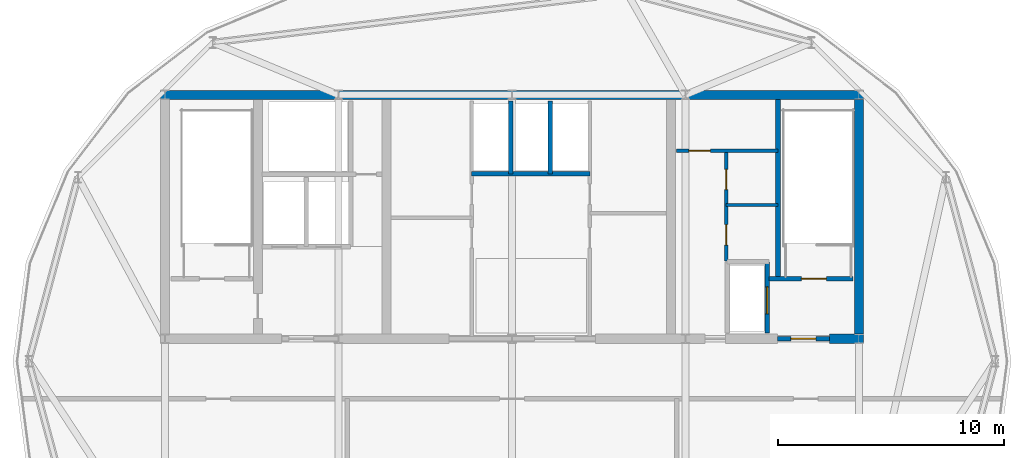
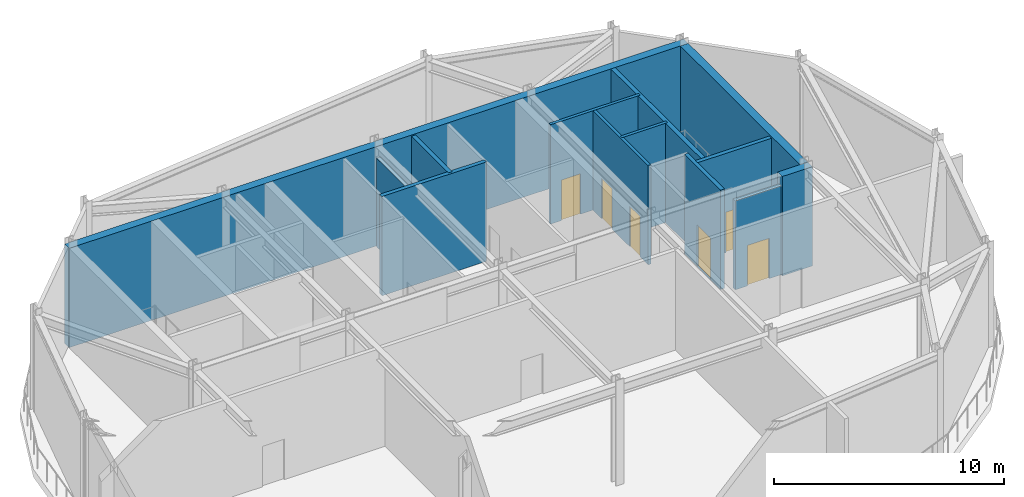
# One storey, part 3 of 5: 13 walls, 6 doors, 6 openings.
"""IFC4 building model written with IfcOpenShell, lengths in metres."""

from ifc_helpers import new_model, si_unit, direction, frame, frame_2d, origin, place, context, subcontext, project, spatial, rectangle, extrude, material, layer, layer_set, type_object, element, fill, save


model = new_model("IFC4")

# Units and contexts
model_context = context("Model", 3, precision=1e-05, world=origin(), true_north=direction((0.0, 1.0)))
body_context = subcontext(model_context, "Body", "Model", "MODEL_VIEW")
ifc_project = project(units=[si_unit("LENGTHUNIT", "METRE"), si_unit("AREAUNIT", "SQUARE_METRE"), si_unit("VOLUMEUNIT", "CUBIC_METRE"), si_unit("PLANEANGLEUNIT", "RADIAN"), si_unit("MASSUNIT", "GRAM", prefix="KILO")], contexts=[model_context])

# Site, building, storey
site_placement = place(None, origin())
site = spatial("IfcSite", under=ifc_project, at=site_placement, CompositionType="ELEMENT")
building_placement = place(site_placement, origin())
building = spatial("IfcBuilding", under=site, at=building_placement, Name="Yelkora Congress Tower", CompositionType="ELEMENT")
storey_placement = place(building_placement, frame((0.0, 0.0, 304.39990234375)))
storey = spatial("IfcBuildingStorey", under=building, at=storey_placement, Name="L85", CompositionType="ELEMENT", Elevation=304.39990234375)

# Walls
ifc_material_1 = material(Name="Concrete C50/60", Category="concrete")
ifc_layer_1 = layer(ifc_material_1, 0.219970703125)
ifc_layer_set_1 = layer_set([ifc_layer_1], Name="Concrete C50/60")
wall_type_1 = type_object("IfcWallType", Name="WALL-CORE-INT-220", PredefinedType="SHEAR", material=ifc_layer_set_1)
wall_1_placement = place(storey_placement, frame((50.179931640625, 38.050048828125, 0.0), z_axis=(0.0, 0.0, 1.0), x_axis=(0.0, 1.0, 0.0)))
element("IfcWall", 1, at=wall_1_placement, inside=storey, type_object=wall_type_1, Name="L85 ST02 West Stair Shear Wall", PredefinedType="SHEAR", context=body_context, shape_type="SweptSolid", body=[
    extrude(rectangle(XDim=7.949951171875, YDim=0.219970703125, at=frame_2d((3.97509765625, 0.0))), origin(), (0.0, 0.0, 1.0), 5.280029296875),
])
ifc_layer_2 = layer(ifc_material_1, 0.39990234375)
ifc_layer_set_2 = layer_set([ifc_layer_2], Name="Concrete C50/60")
wall_type_2 = type_object("IfcWallType", Name="WALL-CORE-INT-400", PredefinedType="SHEAR", material=ifc_layer_set_2)
wall_2_placement = place(storey_placement, frame((22.840087890625, 46.199951171875, 0.0), z_axis=(0.0, 0.0, 1.0), x_axis=(1.0, 0.0, 0.0)))
element("IfcWall", 2, at=wall_2_placement, inside=storey, type_object=wall_type_2, Name="L85 Rear Core North Shear Wall", PredefinedType="SHEAR", context=body_context, shape_type="SweptSolid", body=[
    extrude(rectangle(XDim=31.119873046875, YDim=0.39990234375, at=frame_2d((15.56005859375, 0.0))), origin(), (0.0, 0.0, 1.0), 5.280029296875),
])
wall_3_placement = place(storey_placement, frame((52.449951171875, 35.39990234375, 0.0), z_axis=(0.0, 0.0, 1.0), x_axis=(1.0, 0.0, 0.0)))
element("IfcWall", 3, at=wall_3_placement, inside=storey, type_object=wall_type_2, Name="L85 Rear Core South-East Shear Wall B", PredefinedType="SHEAR", context=body_context, shape_type="SweptSolid", body=[
    extrude(rectangle(XDim=1.510009765625, YDim=0.39990234375, at=frame_2d((0.7548828125, 0.0))), origin(), (0.0, 0.0, 1.0), 5.280029296875),
])
wall_4_placement = place(storey_placement, frame((53.760009765625, 35.60009765625, 0.0), z_axis=(0.0, 0.0, 1.0), x_axis=(0.0, 1.0, 0.0)))
element("IfcWall", 4, at=wall_4_placement, inside=storey, type_object=wall_type_2, Name="L85 Rear Core Cross Shear Wall E", PredefinedType="SHEAR", context=body_context, shape_type="SweptSolid", body=[
    extrude(rectangle(XDim=10.39990234375, YDim=0.39990234375, at=frame_2d((5.199951171875, 0.0))), origin(), (0.0, 0.0, 1.0), 5.280029296875),
])

# Wall, opening, door
ifc_material_2 = material(Name="Acoustic metal-stud gypsum partition", Category="gypsum")
ifc_layer_3 = layer(ifc_material_2, 0.14990234375)
ifc_layer_set_3 = layer_set([ifc_layer_3], Name="Acoustic metal-stud gypsum partition")
wall_type_3 = type_object("IfcWallType", Name="WALL-INT-150-NR", PredefinedType="PARTITIONING", material=ifc_layer_set_3)
wall_5_placement = place(storey_placement, frame((45.679931640625, 43.719970703125, 0.0), z_axis=(0.0, 0.0, 1.0), x_axis=(1.0, 0.0, 0.0)))
wall_5 = element("IfcWall", 5, at=wall_5_placement, inside=storey, type_object=wall_type_3, Name="L85 Partition Wall 20", PredefinedType="PARTITIONING", context=body_context, shape_type="SweptSolid", body=[
    extrude(rectangle(XDim=4.5, YDim=0.14990234375, at=frame_2d((2.25, 0.0))), origin(), (0.0, 0.0, 1.0), 5.280029296875),
])
opening_1_placement = place(wall_5_placement, frame((0.550048828125, 0.0, 0.0)))
opening_1 = element("IfcOpeningElement", 6, at=opening_1_placement, cuts=wall_5, Name="Opening DR-095N", PredefinedType="OPENING", context=body_context, shape_type="SweptSolid", body=[
    extrude(rectangle(XDim=0.949951171875, YDim=2.14990234375, at=frame_2d((0.47509765625, 1.074951171875))), frame((0.0, 0.0849609375, 0.0), z_axis=(0.0, -1.0, 0.0), x_axis=(1.0, 0.0, 0.0)), (0.0, 0.0, 1.0), 0.169921875),
])
ifc_material_3 = material(Name="Acoustic laminated timber office door", Category="wood")
door_type_1 = type_object("IfcDoorType", Name="DOOR-INT-950", OperationType="NOTDEFINED", PredefinedType="DOOR", material=ifc_material_3)
door_1_placement = place(opening_1_placement, origin())
door_1 = element("IfcDoor", 7, at=door_1_placement, inside=storey, type_object=door_type_1, Name="L85 Accessible WC Door", OperationType="SINGLE_SWING_RIGHT", OverallHeight=2.14990234375, OverallWidth=0.949951171875, PredefinedType="DOOR", context=body_context, shape_type="SweptSolid", body=[
    extrude(rectangle(XDim=0.949951171875, YDim=2.14990234375, at=frame_2d((0.47509765625, 1.074951171875))), frame((0.0, 0.02490234375, 0.0), z_axis=(0.0, -1.0, 0.0), x_axis=(1.0, 0.0, 0.0)), (0.0, 0.0, 1.0), 0.050048828125),
])
fill(opening_1, door_1)

# Wall
wall_6_placement = place(storey_placement, frame((47.8798828125, 41.320068359375, 0.0), z_axis=(0.0, 0.0, 1.0), x_axis=(1.0, 0.0, 0.0)))
element("IfcWall", 8, at=wall_6_placement, inside=storey, type_object=wall_type_3, Name="L85 Partition Wall 21", PredefinedType="PARTITIONING", context=body_context, shape_type="SweptSolid", body=[
    extrude(rectangle(XDim=2.300048828125, YDim=0.14990234375, at=frame_2d((1.14990234375, 0.0))), origin(), (0.0, 0.0, 1.0), 5.280029296875),
])

# Wall, openings, doors
wall_7_placement = place(storey_placement, frame((47.8798828125, 38.85009765625, 0.0), z_axis=(0.0, 0.0, 1.0), x_axis=(0.0, 1.0, 0.0)))
wall_7 = element("IfcWall", 9, at=wall_7_placement, inside=storey, type_object=wall_type_3, Name="L85 Partition Wall 22", PredefinedType="PARTITIONING", context=body_context, shape_type="SweptSolid", body=[
    extrude(rectangle(XDim=4.869873046875, YDim=0.14990234375, at=frame_2d((2.43505859375, 0.0))), origin(), (0.0, 0.0, 1.0), 5.280029296875),
])
opening_2_placement = place(wall_7_placement, frame((0.699951171875, 0.0, 0.0)))
opening_2 = element("IfcOpeningElement", 10, at=opening_2_placement, cuts=wall_7, Name="Opening DR-090N", PredefinedType="OPENING", context=body_context, shape_type="SweptSolid", body=[
    extrude(rectangle(XDim=0.89990234375, YDim=2.14990234375, at=frame_2d((0.449951171875, 1.074951171875))), frame((0.0, 0.0849609375, 0.0), z_axis=(0.0, -1.0, 0.0), x_axis=(1.0, 0.0, 0.0)), (0.0, 0.0, 1.0), 0.169921875),
])
opening_3_placement = place(wall_7_placement, frame((3.14990234375, 0.0, 0.0)))
opening_3 = element("IfcOpeningElement", 11, at=opening_3_placement, cuts=wall_7, Name="Opening DR-090N", PredefinedType="OPENING", context=body_context, shape_type="SweptSolid", body=[
    extrude(rectangle(XDim=0.89990234375, YDim=2.14990234375, at=frame_2d((0.449951171875, 1.074951171875))), frame((0.0, 0.0849609375, 0.0), z_axis=(0.0, -1.0, 0.0), x_axis=(1.0, 0.0, 0.0)), (0.0, 0.0, 1.0), 0.169921875),
])
ifc_material_4 = material(Name="Moisture-resistant laminate door leaf", Category="wood")
door_type_2 = type_object("IfcDoorType", Name="DOOR-INT-900", OperationType="NOTDEFINED", PredefinedType="DOOR", material=ifc_material_4)
door_2_placement = place(opening_2_placement, origin())
door_2 = element("IfcDoor", 12, at=door_2_placement, inside=storey, type_object=door_type_2, Name="L85 Male WC Door", OperationType="SINGLE_SWING_LEFT", OverallHeight=2.14990234375, OverallWidth=0.89990234375, PredefinedType="DOOR", context=body_context, shape_type="SweptSolid", body=[
    extrude(rectangle(XDim=0.89990234375, YDim=2.14990234375, at=frame_2d((0.449951171875, 1.074951171875))), frame((0.0, 0.02490234375, 0.0), z_axis=(0.0, -1.0, 0.0), x_axis=(1.0, 0.0, 0.0)), (0.0, 0.0, 1.0), 0.050048828125),
])
fill(opening_2, door_2)
door_3_placement = place(opening_3_placement, origin())
door_3 = element("IfcDoor", 13, at=door_3_placement, inside=storey, type_object=door_type_2, Name="L85 Female WC Door", OperationType="SINGLE_SWING_RIGHT", OverallHeight=2.14990234375, OverallWidth=0.89990234375, PredefinedType="DOOR", context=body_context, shape_type="SweptSolid", body=[
    extrude(rectangle(XDim=0.89990234375, YDim=2.14990234375, at=frame_2d((0.449951171875, 1.074951171875))), frame((0.0, 0.02490234375, 0.0), z_axis=(0.0, -1.0, 0.0), x_axis=(1.0, 0.0, 0.0)), (0.0, 0.0, 1.0), 0.050048828125),
])
fill(opening_3, door_3)

# Walls
ifc_material_5 = material(Name="Autoclaved aerated concrete blockwork", Category="masonry")
ifc_layer_4 = layer(ifc_material_5, 0.199951171875)
ifc_layer_set_4 = layer_set([ifc_layer_4], Name="Autoclaved aerated concrete blockwork")
wall_type_4 = type_object("IfcWallType", Name="WALL-INT-200-R120", PredefinedType="PARTITIONING", material=ifc_layer_set_4)
wall_8_placement = place(storey_placement, frame((36.60009765625, 42.699951171875, 0.0), z_axis=(0.0, 0.0, 1.0), x_axis=(1.0, 0.0, 0.0)))
element("IfcWall", 14, at=wall_8_placement, inside=storey, type_object=wall_type_4, Name="L85 Partition Wall 8", PredefinedType="PARTITIONING", context=body_context, shape_type="SweptSolid", body=[
    extrude(rectangle(XDim=5.25, YDim=0.199951171875, at=frame_2d((2.625, 0.0))), origin(), (0.0, 0.0, 1.0), 5.280029296875),
])
wall_9_placement = place(storey_placement, frame((38.35009765625, 42.699951171875, 0.0), z_axis=(0.0, 0.0, 1.0), x_axis=(0.0, 1.0, 0.0)))
element("IfcWall", 15, at=wall_9_placement, inside=storey, type_object=wall_type_4, Name="L85 Partition Wall 9", PredefinedType="PARTITIONING", context=body_context, shape_type="SweptSolid", body=[
    extrude(rectangle(XDim=3.219970703125, YDim=0.199951171875, at=frame_2d((1.60986328125, 0.0))), origin(), (0.0, 0.0, 1.0), 4.72509765625),
])
wall_10_placement = place(storey_placement, frame((40.10009765625, 42.699951171875, 0.0), z_axis=(0.0, 0.0, 1.0), x_axis=(0.0, 1.0, 0.0)))
element("IfcWall", 16, at=wall_10_placement, inside=storey, type_object=wall_type_4, Name="L85 Partition Wall 10", PredefinedType="PARTITIONING", context=body_context, shape_type="SweptSolid", body=[
    extrude(rectangle(XDim=3.219970703125, YDim=0.199951171875, at=frame_2d((1.60986328125, 0.0))), origin(), (0.0, 0.0, 1.0), 5.280029296875),
])

# Wall, opening, door
wall_11_placement = place(storey_placement, frame((49.780029296875, 38.050048828125, 0.0), z_axis=(0.0, 0.0, 1.0), x_axis=(1.0, 0.0, 0.0)))
wall_11 = element("IfcWall", 17, at=wall_11_placement, inside=storey, type_object=wall_type_4, Name="L85 Stair ST-02 Enclosure Wall", PredefinedType="PARTITIONING", context=body_context, shape_type="SweptSolid", body=[
    extrude(rectangle(XDim=3.719970703125, YDim=0.199951171875, at=frame_2d((1.85986328125, 0.0))), origin(), (0.0, 0.0, 1.0), 5.280029296875),
])
opening_4_placement = place(wall_11_placement, frame((1.436279296875, 0.0, 0.0)))
opening_4 = element("IfcOpeningElement", 18, at=opening_4_placement, cuts=wall_11, Name="Opening DR-110F9", PredefinedType="OPENING", context=body_context, shape_type="SweptSolid", body=[
    extrude(rectangle(XDim=1.10009765625, YDim=2.14990234375, at=frame_2d((0.550048828125, 1.074951171875))), frame((0.0, 0.10986328125, 0.0), z_axis=(0.0, -1.0, 0.0), x_axis=(1.0, 0.0, 0.0)), (0.0, 0.0, 1.0), 0.219970703125),
])
ifc_material_6 = material(Name="Galvanised steel fire door leaf", Category="steel")
door_type_3 = type_object("IfcDoorType", Name="DOOR-FD90-1100", OperationType="NOTDEFINED", PredefinedType="DOOR", material=ifc_material_6)
door_4_placement = place(opening_4_placement, origin())
door_4 = element("IfcDoor", 19, at=door_4_placement, inside=storey, type_object=door_type_3, Name="L85 Stair ST-02 Entry Door", OperationType="SINGLE_SWING_LEFT", OverallHeight=2.14990234375, OverallWidth=1.10009765625, PredefinedType="DOOR", context=body_context, shape_type="SweptSolid", body=[
    extrude(rectangle(XDim=1.10009765625, YDim=2.14990234375, at=frame_2d((0.550048828125, 1.074951171875))), frame((0.0, 0.02490234375, 0.0), z_axis=(0.0, -1.0, 0.0), x_axis=(1.0, 0.0, 0.0)), (0.0, 0.0, 1.0), 0.050048828125),
])
fill(opening_4, door_4)

wall_12_placement = place(storey_placement, frame((50.14990234375, 35.39990234375, 0.0), z_axis=(0.0, 0.0, 1.0), x_axis=(1.0, 0.0, 0.0)))
wall_12 = element("IfcWall", 20, at=wall_12_placement, inside=storey, type_object=wall_type_4, Name="L85 Partition Wall 16", PredefinedType="PARTITIONING", context=body_context, shape_type="SweptSolid", body=[
    extrude(rectangle(XDim=2.300048828125, YDim=0.199951171875, at=frame_2d((1.14990234375, 0.0))), origin(), (0.0, 0.0, 1.0), 4.72509765625),
])
opening_5_placement = place(wall_12_placement, frame((0.60009765625, 0.0, 0.0)))
opening_5 = element("IfcOpeningElement", 21, at=opening_5_placement, cuts=wall_12, Name="Opening DR-110F9", PredefinedType="OPENING", context=body_context, shape_type="SweptSolid", body=[
    extrude(rectangle(XDim=1.10009765625, YDim=2.14990234375, at=frame_2d((0.550048828125, 1.074951171875))), frame((0.0, 0.10986328125, 0.0), z_axis=(0.0, -1.0, 0.0), x_axis=(1.0, 0.0, 0.0)), (0.0, 0.0, 1.0), 0.219970703125),
])
door_5_placement = place(opening_5_placement, origin())
door_5 = element("IfcDoor", 22, at=door_5_placement, inside=storey, type_object=door_type_3, Name="L85 East Stair Lobby Door", OperationType="SINGLE_SWING_RIGHT", OverallHeight=2.14990234375, OverallWidth=1.10009765625, PredefinedType="DOOR", context=body_context, shape_type="SweptSolid", body=[
    extrude(rectangle(XDim=1.10009765625, YDim=2.14990234375, at=frame_2d((0.550048828125, 1.074951171875))), frame((0.0, 0.02490234375, 0.0), z_axis=(0.0, -1.0, 0.0), x_axis=(1.0, 0.0, 0.0)), (0.0, 0.0, 1.0), 0.050048828125),
])
fill(opening_5, door_5)

wall_13_placement = place(storey_placement, frame((49.699951171875, 35.64990234375, 0.0), z_axis=(0.0, 0.0, 1.0), x_axis=(0.0, 1.0, 0.0)))
wall_13 = element("IfcWall", 23, at=wall_13_placement, inside=storey, type_object=wall_type_4, Name="L85 Partition Wall 17", PredefinedType="PARTITIONING", context=body_context, shape_type="SweptSolid", body=[
    extrude(rectangle(XDim=3.150146484375, YDim=0.199951171875, at=frame_2d((1.5751953125, 0.0))), origin(), (0.0, 0.0, 1.0), 5.280029296875),
])
opening_6_placement = place(wall_13_placement, frame((0.85009765625, 0.0, 0.0)))
opening_6 = element("IfcOpeningElement", 24, at=opening_6_placement, cuts=wall_13, Name="Opening LD-SV12", PredefinedType="OPENING", context=body_context, shape_type="SweptSolid", body=[
    extrude(rectangle(XDim=1.199951171875, YDim=2.199951171875, at=frame_2d((0.60009765625, 1.10009765625))), frame((0.0, 0.10986328125, 0.0), z_axis=(0.0, -1.0, 0.0), x_axis=(1.0, 0.0, 0.0)), (0.0, 0.0, 1.0), 0.219970703125),
])
ifc_material_7 = material(Name="Heavy-duty stainless steel landing door", Category="steel")
door_type_4 = type_object("IfcDoorType", Name="DOOR-LIFT-SRV-1200", OperationType="DOUBLE_DOOR_SLIDING", PredefinedType="DOOR", material=ifc_material_7)
door_6_placement = place(opening_6_placement, origin())
door_6 = element("IfcDoor", 25, at=door_6_placement, inside=storey, type_object=door_type_4, Name="Service Lift Landing Door LF-SV1 L85", OperationType="DOUBLE_DOOR_SLIDING", OverallHeight=2.199951171875, OverallWidth=1.199951171875, PredefinedType="DOOR", context=body_context, shape_type="SweptSolid", body=[
    extrude(rectangle(XDim=1.199951171875, YDim=2.199951171875, at=frame_2d((0.60009765625, 1.10009765625))), frame((0.0, 0.02490234375, 0.0), z_axis=(0.0, -1.0, 0.0), x_axis=(1.0, 0.0, 0.0)), (0.0, 0.0, 1.0), 0.050048828125),
])
fill(opening_6, door_6)

save(model, "model.ifc")
